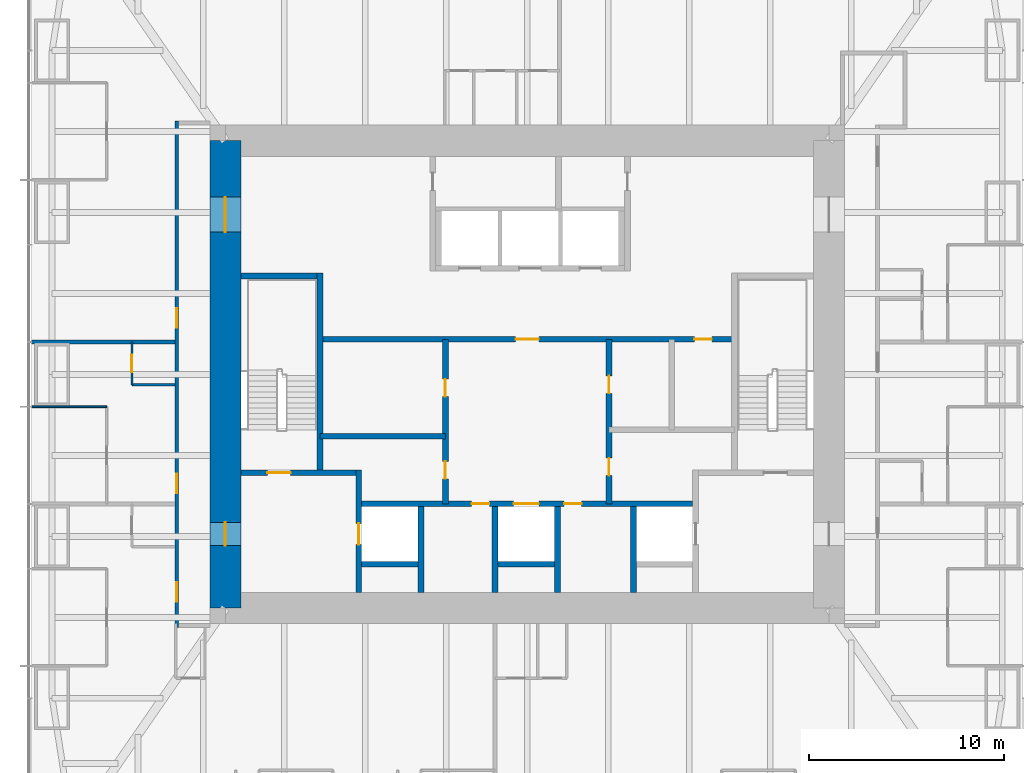
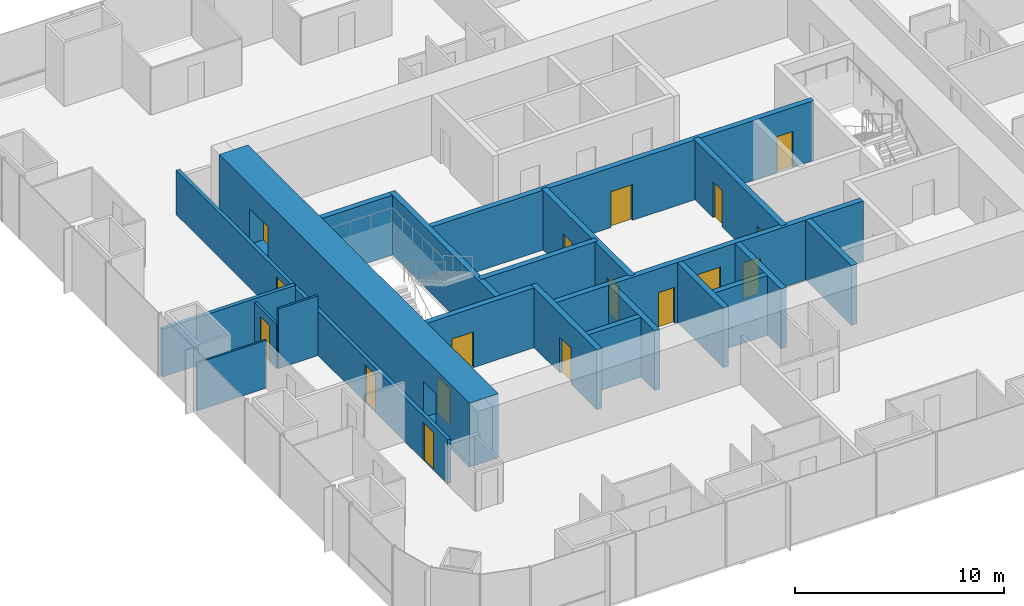
# One storey, part 9 of 13: 21 walls, 17 doors, 17 openings.
"""IFC4 building model written with IfcOpenShell, lengths in metres."""

from ifc_helpers import new_model, si_unit, direction, frame, frame_2d, origin, place, context, subcontext, project, spatial, rectangle, extrude, material, layer, layer_set, type_object, element, fill, save


model = new_model("IFC4")

# Units and contexts
model_context = context("Model", 3, precision=1e-05, world=origin(), true_north=direction((0.0, 1.0)))
body_context = subcontext(model_context, "Body", "Model", "MODEL_VIEW")
ifc_project = project(units=[si_unit("LENGTHUNIT", "METRE"), si_unit("AREAUNIT", "SQUARE_METRE"), si_unit("VOLUMEUNIT", "CUBIC_METRE"), si_unit("PLANEANGLEUNIT", "RADIAN"), si_unit("MASSUNIT", "GRAM", prefix="KILO")], contexts=[model_context])

# Site, building, storey
site_placement = place(None, origin())
site = spatial("IfcSite", under=ifc_project, at=site_placement, CompositionType="ELEMENT")
building_placement = place(site_placement, origin())
building = spatial("IfcBuilding", under=site, at=building_placement, Name="Khuree Lantern Residences", CompositionType="ELEMENT")
storey_placement = place(building_placement, frame((0.0, 0.0, 270.75)))
storey = spatial("IfcBuildingStorey", under=building, at=storey_placement, Name="L68", CompositionType="ELEMENT", Elevation=270.75)

# Wall, opening, door
ifc_material_1 = material(Name="Moisture-resistant gypsum board on steel studs", Category="steel")
ifc_layer_1 = layer(ifc_material_1, 0.125)
ifc_layer_set_1 = layer_set([ifc_layer_1], Name="BATHROOM WALL BTW125")
wall_type_1 = type_object("IfcWallType", Name="BATHROOM WALL BTW125", PredefinedType="PARTITIONING", material=ifc_layer_set_1)
wall_1_placement = place(storey_placement, frame((-20.300048828125, 1.6640625, 0.0), z_axis=(0.0, 0.0, 1.0), x_axis=(0.0, -1.0, 0.0)))
wall_1 = element("IfcWall", 1, at=wall_1_placement, inside=storey, type_object=wall_type_1, Name="L68 BATHROOM WALL 04", PredefinedType="PARTITIONING", context=body_context, shape_type="SweptSolid", body=[
    extrude(rectangle(XDim=2.199951171875, YDim=0.125, at=frame_2d((1.10009765625, 0.0))), origin(), (0.0, 0.0, 1.0), 2.60009765625),
])
opening_1_placement = place(wall_1_placement, frame((0.64990234375, 0.0, 0.0)))
opening_1 = element("IfcOpeningElement", 2, at=opening_1_placement, cuts=wall_1, Name="Opening 68-041", PredefinedType="OPENING", context=body_context, shape_type="SweptSolid", body=[
    extrude(rectangle(XDim=0.89990234375, YDim=2.10009765625, at=frame_2d((0.449951171875, 1.050048828125))), frame((0.0, 0.072509765625, 0.0), z_axis=(0.0, -1.0, 0.0), x_axis=(1.0, 0.0, 0.0)), (0.0, 0.0, 1.0), 0.14501953125),
])
ifc_material_2 = material(Name="Timber door leaf in hardwood frame", Category="wood")
door_type_1 = type_object("IfcDoorType", Name="BATHROOM DOOR 900X2100", OperationType="SINGLE_SWING_LEFT", PredefinedType="DOOR", material=ifc_material_2)
door_1_placement = place(opening_1_placement, origin())
door_1 = element("IfcDoor", 3, at=door_1_placement, inside=storey, type_object=door_type_1, Name="Bathroom door 68-041", OperationType="SINGLE_SWING_LEFT", OverallHeight=2.10009765625, OverallWidth=0.89990234375, PredefinedType="DOOR", context=body_context, shape_type="SweptSolid", body=[
    extrude(rectangle(XDim=0.89990234375, YDim=2.10009765625, at=frame_2d((0.449951171875, 1.050048828125))), frame((0.0, 0.02490234375, 0.0), z_axis=(0.0, -1.0, 0.0), x_axis=(1.0, 0.0, 0.0)), (0.0, 0.0, 1.0), 0.050048828125),
])
fill(opening_1, door_1)

# Wall
wall_2_placement = place(storey_placement, frame((-18.10009765625, -0.535888671875, 0.0), z_axis=(0.0, 0.0, 1.0), x_axis=(-1.0, 0.0, 0.0)))
element("IfcWall", 4, at=wall_2_placement, inside=storey, type_object=wall_type_1, Name="L68 BATHROOM WALL 04", PredefinedType="PARTITIONING", context=body_context, shape_type="SweptSolid", body=[
    extrude(rectangle(XDim=2.199951171875, YDim=0.125, at=frame_2d((1.10009765625, 0.0))), origin(), (0.0, 0.0, 1.0), 3.5),
])

# Wall, opening, door
ifc_material_3 = material(Name="Dense concrete blockwork", Category="masonry")
ifc_layer_2 = layer(ifc_material_3, 0.300048828125)
ifc_layer_set_2 = layer_set([ifc_layer_2], Name="CORE PARTITION WALL CPW300 EI 120")
wall_type_2 = type_object("IfcWallType", Name="CORE PARTITION WALL CPW300 EI 120", PredefinedType="PARTITIONING", material=ifc_layer_set_2)
wall_3_placement = place(storey_placement, frame((-8.64990234375, -11.199951171875, 0.0), z_axis=(0.0, 0.0, 1.0), x_axis=(0.0, 1.0, 0.0)))
wall_3 = element("IfcWall", 5, at=wall_3_placement, inside=storey, type_object=wall_type_2, Name="L68 CORE WALL FL1W", PredefinedType="PARTITIONING", context=body_context, shape_type="SweptSolid", body=[
    extrude(rectangle(XDim=6.300048828125, YDim=0.300048828125, at=frame_2d((3.14990234375, 0.0))), origin(), (0.0, 0.0, 1.0), 3.5),
])
opening_2_placement = place(wall_3_placement, frame((2.449951171875, 0.0, 0.0)))
opening_2 = element("IfcOpeningElement", 6, at=opening_2_placement, cuts=wall_3, Name="Opening 68-007", PredefinedType="OPENING", context=body_context, shape_type="SweptSolid", body=[
    extrude(rectangle(XDim=1.10009765625, YDim=2.10009765625, at=frame_2d((0.550048828125, 1.050048828125))), frame((0.0, 0.16015625, 0.0), z_axis=(0.0, -1.0, 0.0), x_axis=(1.0, 0.0, 0.0)), (0.0, 0.0, 1.0), 0.320068359375),
])
ifc_material_4 = material(Name="Stainless steel lift landing door", Category="steel")
door_type_2 = type_object("IfcDoorType", Name="LIFT LANDING DOOR 1100X2100 E 120", OperationType="DOUBLE_DOOR_SLIDING", PredefinedType="DOOR", material=ifc_material_4)
door_2_placement = place(opening_2_placement, origin())
door_2 = element("IfcDoor", 7, at=door_2_placement, inside=storey, type_object=door_type_2, Name="Landing door FL1 68-007", OperationType="DOUBLE_DOOR_SLIDING", OverallHeight=2.10009765625, OverallWidth=1.10009765625, PredefinedType="DOOR", context=body_context, shape_type="SweptSolid", body=[
    extrude(rectangle(XDim=1.10009765625, YDim=2.10009765625, at=frame_2d((0.550048828125, 1.050048828125))), frame((0.0, 0.02490234375, 0.0), z_axis=(0.0, -1.0, 0.0), x_axis=(1.0, 0.0, 0.0)), (0.0, 0.0, 1.0), 0.050048828125),
])
fill(opening_2, door_2)

# Wall, openings, doors
wall_4_placement = place(storey_placement, frame((-8.5, -6.64990234375, 0.0), z_axis=(0.0, 0.0, 1.0), x_axis=(1.0, 0.0, 0.0)))
wall_4 = element("IfcWall", 8, at=wall_4_placement, inside=storey, type_object=wall_type_2, Name="L68 CORE WALL FLROW", PredefinedType="PARTITIONING", context=body_context, shape_type="SweptSolid", body=[
    extrude(rectangle(XDim=17.0, YDim=0.300048828125, at=frame_2d((8.5, 0.0))), origin(), (0.0, 0.0, 1.0), 3.5),
])
opening_3_placement = place(wall_4_placement, frame((7.800048828125, 0.0, 0.0)))
opening_3 = element("IfcOpeningElement", 9, at=opening_3_placement, cuts=wall_4, Name="Opening 68-012", PredefinedType="OPENING", context=body_context, shape_type="SweptSolid", body=[
    extrude(rectangle(XDim=1.300048828125, YDim=2.39990234375, at=frame_2d((0.64990234375, 1.199951171875))), frame((0.0, 0.16015625, 0.0), z_axis=(0.0, -1.0, 0.0), x_axis=(1.0, 0.0, 0.0)), (0.0, 0.0, 1.0), 0.320068359375),
])
opening_4_placement = place(wall_4_placement, frame((5.64990234375, 0.0, 0.0)))
opening_4 = element("IfcOpeningElement", 10, at=opening_4_placement, cuts=wall_4, Name="Opening 68-014", PredefinedType="OPENING", context=body_context, shape_type="SweptSolid", body=[
    extrude(rectangle(XDim=0.89990234375, YDim=2.10009765625, at=frame_2d((0.449951171875, 1.050048828125))), frame((0.0, 0.16015625, 0.0), z_axis=(0.0, -1.0, 0.0), x_axis=(1.0, 0.0, 0.0)), (0.0, 0.0, 1.0), 0.320068359375),
])
opening_5_placement = place(wall_4_placement, frame((10.39990234375, 0.0, 0.0)))
opening_5 = element("IfcOpeningElement", 11, at=opening_5_placement, cuts=wall_4, Name="Opening 68-015", PredefinedType="OPENING", context=body_context, shape_type="SweptSolid", body=[
    extrude(rectangle(XDim=0.89990234375, YDim=2.10009765625, at=frame_2d((0.449951171875, 1.050048828125))), frame((0.0, 0.16015625, 0.0), z_axis=(0.0, -1.0, 0.0), x_axis=(1.0, 0.0, 0.0)), (0.0, 0.0, 1.0), 0.320068359375),
])
ifc_material_5 = material(Name="Steel door leaf in steel frame", Category="steel")
door_type_3 = type_object("IfcDoorType", Name="DOOR 900X2100 EI 60", OperationType="SINGLE_SWING_LEFT", PredefinedType="DOOR", material=ifc_material_5)
door_3_placement = place(opening_4_placement, origin())
door_3 = element("IfcDoor", 12, at=door_3_placement, inside=storey, type_object=door_type_3, Name="Refuse chute room door 68-014", OperationType="SINGLE_SWING_LEFT", OverallHeight=2.10009765625, OverallWidth=0.89990234375, PredefinedType="DOOR", context=body_context, shape_type="SweptSolid", body=[
    extrude(rectangle(XDim=0.89990234375, YDim=2.10009765625, at=frame_2d((0.449951171875, 1.050048828125))), frame((0.0, 0.02490234375, 0.0), z_axis=(0.0, -1.0, 0.0), x_axis=(1.0, 0.0, 0.0)), (0.0, 0.0, 1.0), 0.050048828125),
])
fill(opening_4, door_3)
door_type_4 = type_object("IfcDoorType", Name="DOOR 900X2100 EI 60 RIGHT HAND", OperationType="SINGLE_SWING_RIGHT", PredefinedType="DOOR", material=ifc_material_5)
door_4_placement = place(opening_5_placement, origin())
door_4 = element("IfcDoor", 13, at=door_4_placement, inside=storey, type_object=door_type_4, Name="Electrical and plumbing riser door 68-015", OperationType="SINGLE_SWING_RIGHT", OverallHeight=2.10009765625, OverallWidth=0.89990234375, PredefinedType="DOOR", context=body_context, shape_type="SweptSolid", body=[
    extrude(rectangle(XDim=0.89990234375, YDim=2.10009765625, at=frame_2d((0.449951171875, 1.050048828125))), frame((0.0, 0.02490234375, 0.0), z_axis=(0.0, -1.0, 0.0), x_axis=(1.0, 0.0, 0.0)), (0.0, 0.0, 1.0), 0.050048828125),
])
fill(opening_5, door_4)
door_type_5 = type_object("IfcDoorType", Name="LIFT LANDING DOOR 1300X2400 E 60", OperationType="DOUBLE_DOOR_SLIDING", PredefinedType="DOOR", material=ifc_material_4)
door_5_placement = place(opening_3_placement, origin())
door_5 = element("IfcDoor", 14, at=door_5_placement, inside=storey, type_object=door_type_5, Name="Landing door SL1 68-012", OperationType="DOUBLE_DOOR_SLIDING", OverallHeight=2.39990234375, OverallWidth=1.300048828125, PredefinedType="DOOR", context=body_context, shape_type="SweptSolid", body=[
    extrude(rectangle(XDim=1.300048828125, YDim=2.39990234375, at=frame_2d((0.64990234375, 1.199951171875))), frame((0.0, 0.02490234375, 0.0), z_axis=(0.0, -1.0, 0.0), x_axis=(1.0, 0.0, 0.0)), (0.0, 0.0, 1.0), 0.050048828125),
])
fill(opening_3, door_5)

# Walls
for number, where, z_axis, x_axis, name in (
    (15, (-5.449951171875, -11.199951171875, 0.0), (0.0, 0.0, 1.0), (0.0, 1.0, 0.0), "L68 CORE WALL FL1E"),
    (16, (-1.64990234375, -11.199951171875, 0.0), (0.0, 0.0, 1.0), (0.0, 1.0, 0.0), "L68 CORE WALL SL1W"),
    (17, (1.550048828125, -11.199951171875, 0.0), (0.0, 0.0, 1.0), (0.0, 1.0, 0.0), "L68 CORE WALL SL1E"),
    (18, (5.449951171875, -11.199951171875, 0.0), (0.0, 0.0, 1.0), (0.0, 1.0, 0.0), "L68 CORE WALL FL2W"),
):
    element("IfcWall", number, at=place(storey_placement, frame(where, z_axis=z_axis, x_axis=x_axis)), inside=storey, type_object=wall_type_2, Name=name, PredefinedType="PARTITIONING", context=body_context, shape_type="SweptSolid", body=[
        extrude(rectangle(XDim=4.39990234375, YDim=0.300048828125, at=frame_2d((2.199951171875, 0.0))), origin(), (0.0, 0.0, 1.0), 3.5),
    ])
for number, where, z_axis, x_axis, name in (
    (19, (-8.5, -9.75, 0.0), (0.0, 0.0, 1.0), (1.0, 0.0, 0.0), "L68 CORE WALL FL1S"),
    (20, (-1.5, -9.75, 0.0), (0.0, 0.0, 1.0), (1.0, 0.0, 0.0), "L68 CORE WALL SL1S"),
):
    element("IfcWall", number, at=place(storey_placement, frame(where, z_axis=z_axis, x_axis=x_axis)), inside=storey, type_object=wall_type_2, Name=name, PredefinedType="PARTITIONING", context=body_context, shape_type="SweptSolid", body=[
        extrude(rectangle(XDim=2.89990234375, YDim=0.300048828125, at=frame_2d((1.449951171875, 0.0))), origin(), (0.0, 0.0, 1.0), 3.5),
    ])

# Wall, openings, doors
wall_5_placement = place(storey_placement, frame((-10.64990234375, 1.800048828125, 0.0), z_axis=(0.0, 0.0, 1.0), x_axis=(1.0, 0.0, 0.0)))
wall_5 = element("IfcWall", 21, at=wall_5_placement, inside=storey, type_object=wall_type_2, Name="L68 CORE WALL LLS", PredefinedType="PARTITIONING", context=body_context, shape_type="SweptSolid", body=[
    extrude(rectangle(XDim=21.2998046875, YDim=0.300048828125, at=frame_2d((10.64990234375, 0.0))), origin(), (0.0, 0.0, 1.0), 3.5),
])
opening_6_placement = place(wall_5_placement, frame((10.050048828125, 0.0, 0.0)))
opening_6 = element("IfcOpeningElement", 22, at=opening_6_placement, cuts=wall_5, Name="Opening 68-013", PredefinedType="OPENING", context=body_context, shape_type="SweptSolid", body=[
    extrude(rectangle(XDim=1.199951171875, YDim=2.10009765625, at=frame_2d((0.60009765625, 1.050048828125))), frame((0.0, 0.16015625, 0.0), z_axis=(0.0, -1.0, 0.0), x_axis=(1.0, 0.0, 0.0)), (0.0, 0.0, 1.0), 0.320068359375),
])
opening_7_placement = place(wall_5_placement, frame((19.238037109375, 0.0, 0.0)))
opening_7 = element("IfcOpeningElement", 23, at=opening_7_placement, cuts=wall_5, Name="Opening 68-020", PredefinedType="OPENING", context=body_context, shape_type="SweptSolid", body=[
    extrude(rectangle(XDim=0.89990234375, YDim=2.10009765625, at=frame_2d((0.449951171875, 1.050048828125))), frame((0.0, 0.16015625, 0.0), z_axis=(0.0, -1.0, 0.0), x_axis=(1.0, 0.0, 0.0)), (0.0, 0.0, 1.0), 0.320068359375),
])
door_type_6 = type_object("IfcDoorType", Name="DOOR 1200X2100 EI 60", OperationType="SINGLE_SWING_LEFT", PredefinedType="DOOR", material=ifc_material_5)
door_6_placement = place(opening_6_placement, origin())
door_6 = element("IfcDoor", 24, at=door_6_placement, inside=storey, type_object=door_type_6, Name="Service lift lobby door 68-013", OperationType="SINGLE_SWING_LEFT", OverallHeight=2.10009765625, OverallWidth=1.199951171875, PredefinedType="DOOR", context=body_context, shape_type="SweptSolid", body=[
    extrude(rectangle(XDim=1.199951171875, YDim=2.10009765625, at=frame_2d((0.60009765625, 1.050048828125))), frame((0.0, 0.02490234375, 0.0), z_axis=(0.0, -1.0, 0.0), x_axis=(1.0, 0.0, 0.0)), (0.0, 0.0, 1.0), 0.050048828125),
])
fill(opening_6, door_6)
door_type_7 = type_object("IfcDoorType", Name="DOOR 900X2100 RIGHT HAND", OperationType="SINGLE_SWING_RIGHT", PredefinedType="DOOR", material=ifc_material_2)
door_7_placement = place(opening_7_placement, origin())
door_7 = element("IfcDoor", 25, at=door_7_placement, inside=storey, type_object=door_type_7, Name="Housekeeping store door 68-020", OperationType="SINGLE_SWING_RIGHT", OverallHeight=2.10009765625, OverallWidth=0.89990234375, PredefinedType="DOOR", context=body_context, shape_type="SweptSolid", body=[
    extrude(rectangle(XDim=0.89990234375, YDim=2.10009765625, at=frame_2d((0.449951171875, 1.050048828125))), frame((0.0, 0.02490234375, 0.0), z_axis=(0.0, -1.0, 0.0), x_axis=(1.0, 0.0, 0.0)), (0.0, 0.0, 1.0), 0.050048828125),
])
fill(opening_7, door_7)

wall_6_placement = place(storey_placement, frame((-4.199951171875, -6.64990234375, 0.0), z_axis=(0.0, 0.0, 1.0), x_axis=(0.0, 1.0, 0.0)))
wall_6 = element("IfcWall", 26, at=wall_6_placement, inside=storey, type_object=wall_type_2, Name="L68 CORE WALL SVW", PredefinedType="PARTITIONING", context=body_context, shape_type="SweptSolid", body=[
    extrude(rectangle(XDim=8.449951171875, YDim=0.300048828125, at=frame_2d((4.22509765625, 0.0))), origin(), (0.0, 0.0, 1.0), 3.5),
])
opening_8_placement = place(wall_6_placement, frame((1.284912109375, 0.0, 0.0)))
opening_8 = element("IfcOpeningElement", 27, at=opening_8_placement, cuts=wall_6, Name="Opening 68-016", PredefinedType="OPENING", context=body_context, shape_type="SweptSolid", body=[
    extrude(rectangle(XDim=0.89990234375, YDim=2.10009765625, at=frame_2d((0.449951171875, 1.050048828125))), frame((0.0, 0.16015625, 0.0), z_axis=(0.0, -1.0, 0.0), x_axis=(1.0, 0.0, 0.0)), (0.0, 0.0, 1.0), 0.320068359375),
])
opening_9_placement = place(wall_6_placement, frame((5.510009765625, 0.0, 0.0)))
opening_9 = element("IfcOpeningElement", 28, at=opening_9_placement, cuts=wall_6, Name="Opening 68-017", PredefinedType="OPENING", context=body_context, shape_type="SweptSolid", body=[
    extrude(rectangle(XDim=0.89990234375, YDim=2.10009765625, at=frame_2d((0.449951171875, 1.050048828125))), frame((0.0, 0.16015625, 0.0), z_axis=(0.0, -1.0, 0.0), x_axis=(1.0, 0.0, 0.0)), (0.0, 0.0, 1.0), 0.320068359375),
])
door_type_8 = type_object("IfcDoorType", Name="DOOR 900X2100", OperationType="SINGLE_SWING_LEFT", PredefinedType="DOOR", material=ifc_material_2)
door_8_placement = place(opening_8_placement, origin())
door_8 = element("IfcDoor", 29, at=door_8_placement, inside=storey, type_object=door_type_8, Name="Parcel room door 68-016", OperationType="SINGLE_SWING_LEFT", OverallHeight=2.10009765625, OverallWidth=0.89990234375, PredefinedType="DOOR", context=body_context, shape_type="SweptSolid", body=[
    extrude(rectangle(XDim=0.89990234375, YDim=2.10009765625, at=frame_2d((0.449951171875, 1.050048828125))), frame((0.0, 0.02490234375, 0.0), z_axis=(0.0, -1.0, 0.0), x_axis=(1.0, 0.0, 0.0)), (0.0, 0.0, 1.0), 0.050048828125),
])
fill(opening_8, door_8)
door_9_placement = place(opening_9_placement, origin())
door_9 = element("IfcDoor", 30, at=door_9_placement, inside=storey, type_object=door_type_8, Name="Residents' store door 68-017", OperationType="SINGLE_SWING_LEFT", OverallHeight=2.10009765625, OverallWidth=0.89990234375, PredefinedType="DOOR", context=body_context, shape_type="SweptSolid", body=[
    extrude(rectangle(XDim=0.89990234375, YDim=2.10009765625, at=frame_2d((0.449951171875, 1.050048828125))), frame((0.0, 0.02490234375, 0.0), z_axis=(0.0, -1.0, 0.0), x_axis=(1.0, 0.0, 0.0)), (0.0, 0.0, 1.0), 0.050048828125),
])
fill(opening_9, door_9)

wall_7_placement = place(storey_placement, frame((4.199951171875, -6.64990234375, 0.0), z_axis=(0.0, 0.0, 1.0), x_axis=(0.0, 1.0, 0.0)))
wall_7 = element("IfcWall", 31, at=wall_7_placement, inside=storey, type_object=wall_type_2, Name="L68 CORE WALL SVE", PredefinedType="PARTITIONING", context=body_context, shape_type="SweptSolid", body=[
    extrude(rectangle(XDim=8.449951171875, YDim=0.300048828125, at=frame_2d((4.22509765625, 0.0))), origin(), (0.0, 0.0, 1.0), 3.5),
])
opening_10_placement = place(wall_7_placement, frame((1.450927734375, 0.0, 0.0)))
opening_10 = element("IfcOpeningElement", 32, at=opening_10_placement, cuts=wall_7, Name="Opening 68-018", PredefinedType="OPENING", context=body_context, shape_type="SweptSolid", body=[
    extrude(rectangle(XDim=0.89990234375, YDim=2.10009765625, at=frame_2d((0.449951171875, 1.050048828125))), frame((0.0, 0.16015625, 0.0), z_axis=(0.0, -1.0, 0.0), x_axis=(1.0, 0.0, 0.0)), (0.0, 0.0, 1.0), 0.320068359375),
])
opening_11_placement = place(wall_7_placement, frame((5.676025390625, 0.0, 0.0)))
opening_11 = element("IfcOpeningElement", 33, at=opening_11_placement, cuts=wall_7, Name="Opening 68-019", PredefinedType="OPENING", context=body_context, shape_type="SweptSolid", body=[
    extrude(rectangle(XDim=0.89990234375, YDim=2.10009765625, at=frame_2d((0.449951171875, 1.050048828125))), frame((0.0, 0.16015625, 0.0), z_axis=(0.0, -1.0, 0.0), x_axis=(1.0, 0.0, 0.0)), (0.0, 0.0, 1.0), 0.320068359375),
])
door_10_placement = place(opening_10_placement, origin())
door_10 = element("IfcDoor", 34, at=door_10_placement, inside=storey, type_object=door_type_8, Name="Parcel room door 68-018", OperationType="SINGLE_SWING_LEFT", OverallHeight=2.10009765625, OverallWidth=0.89990234375, PredefinedType="DOOR", context=body_context, shape_type="SweptSolid", body=[
    extrude(rectangle(XDim=0.89990234375, YDim=2.10009765625, at=frame_2d((0.449951171875, 1.050048828125))), frame((0.0, 0.02490234375, 0.0), z_axis=(0.0, -1.0, 0.0), x_axis=(1.0, 0.0, 0.0)), (0.0, 0.0, 1.0), 0.050048828125),
])
fill(opening_10, door_10)
door_11_placement = place(opening_11_placement, origin())
door_11 = element("IfcDoor", 35, at=door_11_placement, inside=storey, type_object=door_type_7, Name="Refuse holding room door 68-019", OperationType="SINGLE_SWING_RIGHT", OverallHeight=2.10009765625, OverallWidth=0.89990234375, PredefinedType="DOOR", context=body_context, shape_type="SweptSolid", body=[
    extrude(rectangle(XDim=0.89990234375, YDim=2.10009765625, at=frame_2d((0.449951171875, 1.050048828125))), frame((0.0, 0.02490234375, 0.0), z_axis=(0.0, -1.0, 0.0), x_axis=(1.0, 0.0, 0.0)), (0.0, 0.0, 1.0), 0.050048828125),
])
fill(opening_11, door_11)

# Wall
wall_8_placement = place(storey_placement, frame((-10.64990234375, -3.179931640625, 0.0), z_axis=(0.0, 0.0, 1.0), x_axis=(1.0, 0.0, 0.0)))
element("IfcWall", 36, at=wall_8_placement, inside=storey, type_object=wall_type_2, Name="L68 CORE WALL WX", PredefinedType="PARTITIONING", context=body_context, shape_type="SweptSolid", body=[
    extrude(rectangle(XDim=6.449951171875, YDim=0.300048828125, at=frame_2d((3.22509765625, 0.0))), origin(), (0.0, 0.0, 1.0), 3.5),
])

# Wall, openings, doors
ifc_material_6 = material(Name="Gypsum board on steel studs", Category="steel")
ifc_layer_3 = layer(ifc_material_6, 0.199951171875)
ifc_layer_set_3 = layer_set([ifc_layer_3], Name="CORRIDOR WALL CRW200 EI 60")
wall_type_3 = type_object("IfcWallType", Name="CORRIDOR WALL CRW200 EI 60", PredefinedType="PARTITIONING", material=ifc_layer_set_3)
wall_9_placement = place(storey_placement, frame((-18.0, 13.0, 0.0), z_axis=(0.0, 0.0, 1.0), x_axis=(0.0, -1.0, 0.0)))
wall_9 = element("IfcWall", 37, at=wall_9_placement, inside=storey, type_object=wall_type_3, Name="L68 CORRIDOR WALL WEST 1", PredefinedType="PARTITIONING", context=body_context, shape_type="SweptSolid", body=[
    extrude(rectangle(XDim=26.0, YDim=0.199951171875, at=frame_2d((13.0, 0.0))), origin(), (0.0, 0.0, 1.0), 2.60009765625),
])
opening_12_placement = place(wall_9_placement, frame((9.60009765625, 0.0, 0.0)))
opening_12 = element("IfcOpeningElement", 38, at=opening_12_placement, cuts=wall_9, Name="Opening 68-039", PredefinedType="OPENING", context=body_context, shape_type="SweptSolid", body=[
    extrude(rectangle(XDim=1.0, YDim=2.199951171875, at=frame_2d((0.5, 1.10009765625))), frame((0.0, 0.10986328125, 0.0), z_axis=(0.0, -1.0, 0.0), x_axis=(1.0, 0.0, 0.0)), (0.0, 0.0, 1.0), 0.219970703125),
])
opening_13_placement = place(wall_9_placement, frame((18.10595703125, 0.0, 0.0)))
opening_13 = element("IfcOpeningElement", 39, at=opening_13_placement, cuts=wall_9, Name="Opening 68-042", PredefinedType="OPENING", context=body_context, shape_type="SweptSolid", body=[
    extrude(rectangle(XDim=1.0, YDim=2.199951171875, at=frame_2d((0.5, 1.10009765625))), frame((0.0, 0.10986328125, 0.0), z_axis=(0.0, -1.0, 0.0), x_axis=(1.0, 0.0, 0.0)), (0.0, 0.0, 1.0), 0.219970703125),
])
opening_14_placement = place(wall_9_placement, frame((23.676025390625, 0.0, 0.0)))
opening_14 = element("IfcOpeningElement", 40, at=opening_14_placement, cuts=wall_9, Name="Opening 68-050", PredefinedType="OPENING", context=body_context, shape_type="SweptSolid", body=[
    extrude(rectangle(XDim=1.0, YDim=2.199951171875, at=frame_2d((0.5, 1.10009765625))), frame((0.0, 0.10986328125, 0.0), z_axis=(0.0, -1.0, 0.0), x_axis=(1.0, 0.0, 0.0)), (0.0, 0.0, 1.0), 0.219970703125),
])
door_type_9 = type_object("IfcDoorType", Name="APARTMENT ENTRANCE DOOR 1000X2200 EI 30S", OperationType="SINGLE_SWING_LEFT", PredefinedType="DOOR", material=ifc_material_2)
door_12_placement = place(opening_12_placement, origin())
door_12 = element("IfcDoor", 41, at=door_12_placement, inside=storey, type_object=door_type_9, Name="Apartment 03 entrance door 68-039", OperationType="SINGLE_SWING_LEFT", OverallHeight=2.199951171875, OverallWidth=1.0, PredefinedType="DOOR", context=body_context, shape_type="SweptSolid", body=[
    extrude(rectangle(XDim=1.0, YDim=2.199951171875, at=frame_2d((0.5, 1.10009765625))), frame((0.0, 0.02490234375, 0.0), z_axis=(0.0, -1.0, 0.0), x_axis=(1.0, 0.0, 0.0)), (0.0, 0.0, 1.0), 0.050048828125),
])
fill(opening_12, door_12)
door_13_placement = place(opening_13_placement, origin())
door_13 = element("IfcDoor", 42, at=door_13_placement, inside=storey, type_object=door_type_9, Name="Apartment 04 entrance door 68-042", OperationType="SINGLE_SWING_LEFT", OverallHeight=2.199951171875, OverallWidth=1.0, PredefinedType="DOOR", context=body_context, shape_type="SweptSolid", body=[
    extrude(rectangle(XDim=1.0, YDim=2.199951171875, at=frame_2d((0.5, 1.10009765625))), frame((0.0, 0.02490234375, 0.0), z_axis=(0.0, -1.0, 0.0), x_axis=(1.0, 0.0, 0.0)), (0.0, 0.0, 1.0), 0.050048828125),
])
fill(opening_13, door_13)
door_type_10 = type_object("IfcDoorType", Name="APARTMENT ENTRANCE DOOR 1000X2200 EI 30S RIGHT HAND", OperationType="SINGLE_SWING_RIGHT", PredefinedType="DOOR", material=ifc_material_2)
door_14_placement = place(opening_14_placement, origin())
door_14 = element("IfcDoor", 43, at=door_14_placement, inside=storey, type_object=door_type_10, Name="Apartment 05 entrance door 68-050", OperationType="SINGLE_SWING_RIGHT", OverallHeight=2.199951171875, OverallWidth=1.0, PredefinedType="DOOR", context=body_context, shape_type="SweptSolid", body=[
    extrude(rectangle(XDim=1.0, YDim=2.199951171875, at=frame_2d((0.5, 1.10009765625))), frame((0.0, 0.02490234375, 0.0), z_axis=(0.0, -1.0, 0.0), x_axis=(1.0, 0.0, 0.0)), (0.0, 0.0, 1.0), 0.050048828125),
])
fill(opening_14, door_14)

ifc_material_7 = material(Name="Concrete C50/60", Category="concrete")
ifc_layer_4 = layer(ifc_material_7, 1.60009765625)
ifc_layer_set_4 = layer_set([ifc_layer_4], Name="CW1600-C50 CORE WALL C50 1600")
wall_type_4 = type_object("IfcWallType", Name="CW1600-C50 CORE WALL C50 1600", PredefinedType="SHEAR", material=ifc_layer_set_4)
wall_10_placement = place(storey_placement, frame((-15.5, -12.0, -0.25), z_axis=(0.0, 0.0, 1.0), x_axis=(0.0, 1.0, 0.0)))
wall_10 = element("IfcWall", 44, at=wall_10_placement, inside=storey, type_object=wall_type_4, Name="Core wall W", PredefinedType="SHEAR", context=body_context, shape_type="SweptSolid", body=[
    extrude(rectangle(XDim=24.0, YDim=1.60009765625, at=frame_2d((12.0, 0.0))), origin(), (0.0, 0.0, 1.0), 3.75),
])
opening_15_placement = place(wall_10_placement, frame((3.199951171875, 0.0, 0.25)))
opening_15 = element("IfcOpeningElement", 45, at=opening_15_placement, cuts=wall_10, Name="Opening 68-002", PredefinedType="OPENING", context=body_context, shape_type="SweptSolid", body=[
    extrude(rectangle(XDim=1.199951171875, YDim=2.10009765625, at=frame_2d((0.60009765625, 1.050048828125))), frame((0.0, 0.81005859375, 0.0), z_axis=(0.0, -1.0, 0.0), x_axis=(1.0, 0.0, 0.0)), (0.0, 0.0, 1.0), 1.6201171875),
])
opening_16_placement = place(wall_10_placement, frame((19.300048828125, 0.0, 0.25)))
opening_16 = element("IfcOpeningElement", 46, at=opening_16_placement, cuts=wall_10, Name="Opening 68-003", PredefinedType="OPENING", context=body_context, shape_type="SweptSolid", body=[
    extrude(rectangle(XDim=1.800048828125, YDim=2.10009765625, at=frame_2d((0.89990234375, 1.050048828125))), frame((0.0, 0.81005859375, 0.0), z_axis=(0.0, -1.0, 0.0), x_axis=(1.0, 0.0, 0.0)), (0.0, 0.0, 1.0), 1.6201171875),
])
door_type_11 = type_object("IfcDoorType", Name="LOBBY DOOR 1200X2100 EI 120", OperationType="SINGLE_SWING_LEFT", PredefinedType="DOOR", material=ifc_material_5)
door_15_placement = place(opening_15_placement, origin())
door_15 = element("IfcDoor", 47, at=door_15_placement, inside=storey, type_object=door_type_11, Name="Firefighting lobby door 68-002", OperationType="SINGLE_SWING_LEFT", OverallHeight=2.10009765625, OverallWidth=1.199951171875, PredefinedType="DOOR", context=body_context, shape_type="SweptSolid", body=[
    extrude(rectangle(XDim=1.199951171875, YDim=2.10009765625, at=frame_2d((0.60009765625, 1.050048828125))), frame((0.0, 0.02490234375, 0.0), z_axis=(0.0, -1.0, 0.0), x_axis=(1.0, 0.0, 0.0)), (0.0, 0.0, 1.0), 0.050048828125),
])
fill(opening_15, door_15)
door_type_12 = type_object("IfcDoorType", Name="LOBBY DOUBLE DOOR 1800X2100 EI 60", OperationType="DOUBLE_DOOR_SINGLE_SWING", PredefinedType="DOOR", material=ifc_material_5)
door_16_placement = place(opening_16_placement, origin())
door_16 = element("IfcDoor", 48, at=door_16_placement, inside=storey, type_object=door_type_12, Name="Lift lobby door 68-003", OperationType="DOUBLE_DOOR_SINGLE_SWING", OverallHeight=2.10009765625, OverallWidth=1.800048828125, PredefinedType="DOOR", context=body_context, shape_type="SweptSolid", body=[
    extrude(rectangle(XDim=1.800048828125, YDim=2.10009765625, at=frame_2d((0.89990234375, 1.050048828125))), frame((0.0, 0.02490234375, 0.0), z_axis=(0.0, -1.0, 0.0), x_axis=(1.0, 0.0, 0.0)), (0.0, 0.0, 1.0), 0.050048828125),
])
fill(opening_16, door_16)

# Walls
ifc_layer_5 = layer(ifc_material_6, 0.199951171875)
ifc_layer_set_5 = layer_set([ifc_layer_5], Name="DEMISING WALL DMW200 EI 90")
wall_type_5 = type_object("IfcWallType", Name="DEMISING WALL DMW200 EI 90", PredefinedType="PARTITIONING", material=ifc_layer_set_5)
wall_11_placement = place(storey_placement, frame((-18.10009765625, 1.6640625, 0.0), z_axis=(0.0, 0.0, 1.0), x_axis=(-1.0, 0.0, 0.0)))
element("IfcWall", 49, at=wall_11_placement, inside=storey, type_object=wall_type_5, Name="L68 DEMISING WALL 04", PredefinedType="PARTITIONING", context=body_context, shape_type="SweptSolid", body=[
    extrude(rectangle(XDim=7.349853515625, YDim=0.199951171875, at=frame_2d((3.6748046875, 0.0))), origin(), (0.0, 0.0, 1.0), 2.81005859375),
])
ifc_layer_6 = layer(ifc_material_6, 0.10009765625)
ifc_layer_set_6 = layer_set([ifc_layer_6], Name="PARTITION PT100")
wall_type_6 = type_object("IfcWallType", Name="PARTITION PT100", PredefinedType="PARTITIONING", material=ifc_layer_set_6)
wall_12_placement = place(storey_placement, frame((-21.60009765625, -1.6640625, 0.0), z_axis=(0.0, 0.0, 1.0), x_axis=(-1.0, 0.0, 0.0)))
element("IfcWall", 50, at=wall_12_placement, inside=storey, type_object=wall_type_6, Name="L68 PARTITION 04", PredefinedType="PARTITIONING", context=body_context, shape_type="SweptSolid", body=[
    extrude(rectangle(XDim=3.849853515625, YDim=0.10009765625, at=frame_2d((1.9248046875, 0.0))), origin(), (0.0, 0.0, 1.0), 2.81005859375),
])
ifc_layer_7 = layer(ifc_material_7, 0.300048828125)
ifc_layer_set_7 = layer_set([ifc_layer_7], Name="STAIR WALL SRW300 C50/60 REI 240")
wall_type_7 = type_object("IfcWallType", Name="STAIR WALL SRW300 C50/60 REI 240", PredefinedType="SOLIDWALL", material=ifc_layer_set_7)
wall_13_placement = place(storey_placement, frame((-10.64990234375, -4.89990234375, 0.0), z_axis=(0.0, 0.0, 1.0), x_axis=(0.0, 1.0, 0.0)))
element("IfcWall", 51, at=wall_13_placement, inside=storey, type_object=wall_type_7, Name="L68 STAIR WALL ST1E", PredefinedType="SOLIDWALL", context=body_context, shape_type="SweptSolid", body=[
    extrude(rectangle(XDim=10.099853515625, YDim=0.300048828125, at=frame_2d((5.0498046875, 0.0))), origin(), (0.0, 0.0, 1.0), 3.5),
])

# Wall, opening, door
wall_14_placement = place(storey_placement, frame((-14.699951171875, -5.050048828125, 0.0), z_axis=(0.0, 0.0, 1.0), x_axis=(1.0, 0.0, 0.0)))
wall_14 = element("IfcWall", 52, at=wall_14_placement, inside=storey, type_object=wall_type_7, Name="L68 STAIR WALL ST1S", PredefinedType="SOLIDWALL", context=body_context, shape_type="SweptSolid", body=[
    extrude(rectangle(XDim=5.89990234375, YDim=0.300048828125, at=frame_2d((2.949951171875, 0.0))), origin(), (0.0, 0.0, 1.0), 3.5),
])
opening_17_placement = place(wall_14_placement, frame((1.35009765625, 0.0, 0.0)))
opening_17 = element("IfcOpeningElement", 53, at=opening_17_placement, cuts=wall_14, Name="Opening 68-001", PredefinedType="OPENING", context=body_context, shape_type="SweptSolid", body=[
    extrude(rectangle(XDim=1.199951171875, YDim=2.10009765625, at=frame_2d((0.60009765625, 1.050048828125))), frame((0.0, 0.16015625, 0.0), z_axis=(0.0, -1.0, 0.0), x_axis=(1.0, 0.0, 0.0)), (0.0, 0.0, 1.0), 0.320068359375),
])
door_type_13 = type_object("IfcDoorType", Name="STAIR DOOR 1200X2100 EI 120", OperationType="SINGLE_SWING_LEFT", PredefinedType="DOOR", material=ifc_material_5)
door_17_placement = place(opening_17_placement, origin())
door_17 = element("IfcDoor", 54, at=door_17_placement, inside=storey, type_object=door_type_13, Name="Stair ST1 door 68-001", OperationType="SINGLE_SWING_LEFT", OverallHeight=2.10009765625, OverallWidth=1.199951171875, PredefinedType="DOOR", context=body_context, shape_type="SweptSolid", body=[
    extrude(rectangle(XDim=1.199951171875, YDim=2.10009765625, at=frame_2d((0.60009765625, 1.050048828125))), frame((0.0, 0.02490234375, 0.0), z_axis=(0.0, -1.0, 0.0), x_axis=(1.0, 0.0, 0.0)), (0.0, 0.0, 1.0), 0.050048828125),
])
fill(opening_17, door_17)

# Wall
wall_15_placement = place(storey_placement, frame((-14.699951171875, 5.050048828125, 0.0), z_axis=(0.0, 0.0, 1.0), x_axis=(1.0, 0.0, 0.0)))
element("IfcWall", 55, at=wall_15_placement, inside=storey, type_object=wall_type_7, Name="L68 STAIR WALL ST1N", PredefinedType="SOLIDWALL", context=body_context, shape_type="SweptSolid", body=[
    extrude(rectangle(XDim=3.89990234375, YDim=0.300048828125, at=frame_2d((1.949951171875, 0.0))), origin(), (0.0, 0.0, 1.0), 3.5),
])

save(model, "model.ifc")
